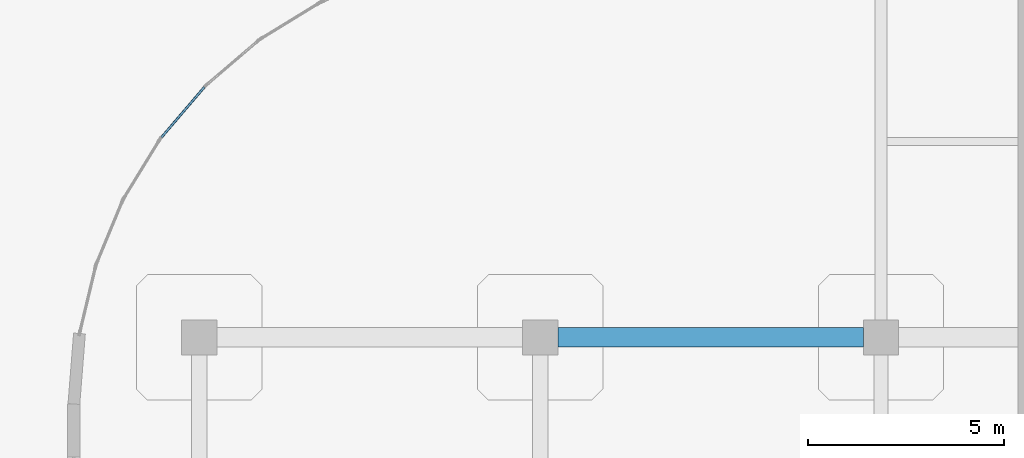
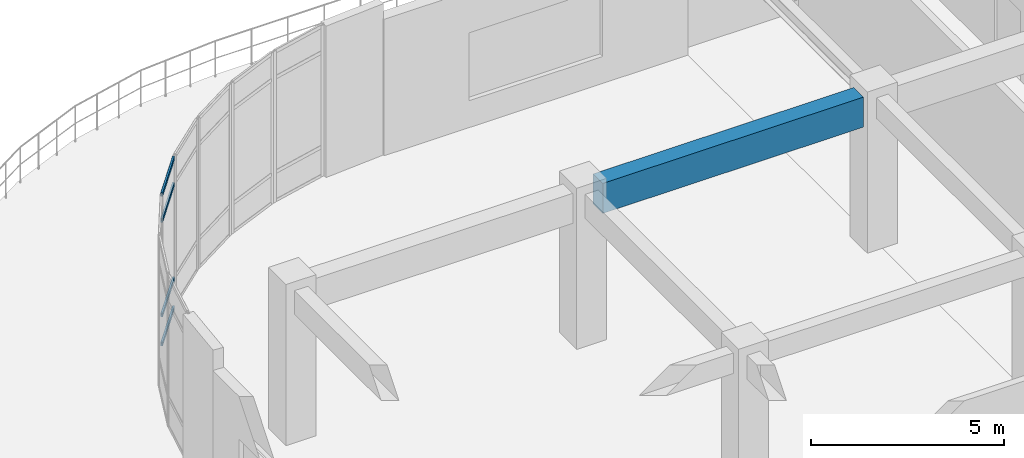
# One storey, part 20 of 120: 4 members, 1 beam, 1 element without a shape of its own.
"""IFC4 building model written with IfcOpenShell, lengths in metres."""

from ifc_helpers import new_model, si_unit, derived_unit, direction, frame, origin, origin_2d, place, context, subcontext, project, spatial, rectangle, hollow_rectangle, extrude, material, layer, layer_set, material_profile, profile_set, type_object, element, aggregate, save


model = new_model("IFC4")

# Units and contexts
model_context = context("Model", 3, precision=1e-05, world=origin(), true_north=direction((0.0, 1.0)))
body_context = subcontext(model_context, "Body", "Model", "MODEL_VIEW")
ifc_project = project(units=[si_unit("LENGTHUNIT", "METRE"), si_unit("AREAUNIT", "SQUARE_METRE"), si_unit("VOLUMEUNIT", "CUBIC_METRE"), si_unit("PLANEANGLEUNIT", "RADIAN"), si_unit("MASSUNIT", "GRAM", prefix="KILO"), derived_unit("THERMALTRANSMITTANCEUNIT", [(si_unit("MASSUNIT", "GRAM", prefix="KILO"), 1), (si_unit("TIMEUNIT", "SECOND"), -3), (si_unit("THERMODYNAMICTEMPERATUREUNIT", "KELVIN"), -1)])], contexts=[model_context])

# Site, building, storey
site_placement = place(None, origin())
site = spatial("IfcSite", under=ifc_project, at=site_placement, CompositionType="ELEMENT")
building_placement = place(site_placement, origin())
building = spatial("IfcBuilding", under=site, at=building_placement, Name="Qinzheling Arcade Emporium", CompositionType="ELEMENT")
storey_placement = place(building_placement, frame((0.0, 0.0, 11.39990234375)))
storey = spatial("IfcBuildingStorey", under=building, at=storey_placement, Name="L03", CompositionType="ELEMENT", Elevation=11.39990234375)

# Curtain wall, members
ifc_material_1 = material(Name="Anodised aluminium and solar-control double glazing", Category="aluminium")
ifc_layer = layer(ifc_material_1, 0.159912109375, Name="Anodised aluminium and solar-control double glazing", Category="aluminium")
ifc_layer_set = layer_set([ifc_layer], Name="Anodised aluminium and solar-control double glazing")
curtain_wall_type = type_object("IfcCurtainWallType", Name="Curved Ribbon Sales Curtain Wall", PredefinedType="NOTDEFINED", material=ifc_layer_set)
curtain_wall_placement = place(storey_placement, origin())
curtain_wall = element("IfcCurtainWall", 1, at=curtain_wall_placement, inside=storey, type_object=curtain_wall_type, Name="Curtain Wall CW-L03-168", PredefinedType="NOTDEFINED")
ifc_material_2 = material(Name="Anodised aluminium 6063-T6", Category="aluminium")
ifc_material_profile_1 = material_profile(ifc_material_2, hollow_rectangle(XDim=0.06005859375, YDim=0.1201171875, WallThickness=0.00390625, InnerFilletRadius=0.00390625, OuterFilletRadius=0.008056640625, at=origin_2d()), Name="RHS 120x60x4", Category="aluminium")
ifc_profile_set_1 = profile_set([ifc_material_profile_1], Name="Anodised aluminium 6063-T6")
member_type = type_object("IfcMemberType", Name="Curtain Wall Transom RHS120x60", PredefinedType="USERDEFINED", material=ifc_profile_set_1)
member_1_placement = place(storey_placement, frame((16.43505859375, 55.505615234375, 0.030029296875), z_axis=(0.649489341841, 0.760370695671, 0.0), x_axis=(-0.760370695671, 0.649489341841, 0.0)))
member_1 = element("IfcMember", 2, at=member_1_placement, type_object=member_type, Name="CW02 transom 1.1", ObjectType="TRANSOM", PredefinedType="USERDEFINED", context=body_context, shape_type="SweptSolid", body=[
    extrude(hollow_rectangle(XDim=0.06005859375, YDim=0.1201171875, WallThickness=0.00390625, InnerFilletRadius=0.00390625, OuterFilletRadius=0.008056640625, at=origin_2d()), origin(), (0.0, 0.0, 1.0), 1.684326171875),
])
member_2_placement = place(storey_placement, frame((16.43505859375, 55.505615234375, 0.9501953125), z_axis=(0.649489341841, 0.760370695671, 0.0), x_axis=(-0.760370695671, 0.649489341841, 0.0)))
member_2 = element("IfcMember", 3, at=member_2_placement, type_object=member_type, Name="CW02 transom 1.2", ObjectType="TRANSOM", PredefinedType="USERDEFINED", context=body_context, shape_type="SweptSolid", body=[
    extrude(hollow_rectangle(XDim=0.06005859375, YDim=0.1201171875, WallThickness=0.00390625, InnerFilletRadius=0.00390625, OuterFilletRadius=0.008056640625, at=origin_2d()), origin(), (0.0, 0.0, 1.0), 1.684326171875),
])
member_3_placement = place(storey_placement, frame((16.43505859375, 55.505615234375, 3.940185546875), z_axis=(0.649489341841, 0.760370695671, 0.0), x_axis=(-0.760370695671, 0.649489341841, 0.0)))
member_3 = element("IfcMember", 4, at=member_3_placement, type_object=member_type, Name="CW02 transom 1.3", ObjectType="TRANSOM", PredefinedType="USERDEFINED", context=body_context, shape_type="SweptSolid", body=[
    extrude(hollow_rectangle(XDim=0.06005859375, YDim=0.1201171875, WallThickness=0.00390625, InnerFilletRadius=0.00390625, OuterFilletRadius=0.008056640625, at=origin_2d()), origin(), (0.0, 0.0, 1.0), 1.684326171875),
])
member_4_placement = place(storey_placement, frame((16.43505859375, 55.505615234375, 4.760009765625), z_axis=(0.649489341841, 0.760370695671, 0.0), x_axis=(-0.760370695671, 0.649489341841, 0.0)))
member_4 = element("IfcMember", 5, at=member_4_placement, type_object=member_type, Name="CW02 transom 1.4", ObjectType="TRANSOM", PredefinedType="USERDEFINED", context=body_context, shape_type="SweptSolid", body=[
    extrude(hollow_rectangle(XDim=0.06005859375, YDim=0.1201171875, WallThickness=0.00390625, InnerFilletRadius=0.00390625, OuterFilletRadius=0.008056640625, at=origin_2d()), origin(), (0.0, 0.0, 1.0), 1.684326171875),
])
aggregate(curtain_wall, [member_1, member_2, member_3, member_4])

# Beam
ifc_material_3 = material(Name="Concrete C40", Category="concrete")
ifc_material_profile_2 = material_profile(ifc_material_3, rectangle(XDim=0.5, YDim=0.949951171875, at=origin_2d()), Name="RC 500x950", Category="concrete")
ifc_profile_set_2 = profile_set([ifc_material_profile_2], Name="Concrete C40")
beam_type = type_object("IfcBeamType", Name="RC Vault Ring Beam 500x950 C40", PredefinedType="BEAM", material=ifc_profile_set_2)
beam_placement = place(storey_placement, frame((26.550048828125, 50.39990234375, 4.34521484375), z_axis=(1.0, 0.0, 0.0), x_axis=(0.0, 1.0, 0.0)))
element("IfcBeam", 6, at=beam_placement, inside=storey, type_object=beam_type, Name="Beam BM-L03-X-G-4", PredefinedType="BEAM", context=body_context, shape_type="SweptSolid", body=[
    extrude(rectangle(XDim=0.5, YDim=0.949951171875, at=origin_2d()), origin(), (0.0, 0.0, 1.0), 7.800048828125),
])

save(model, "model.ifc")
